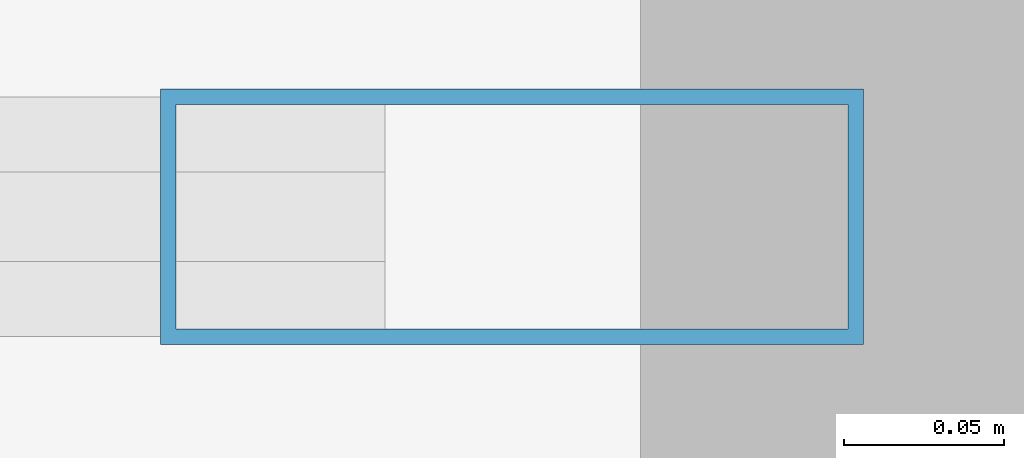
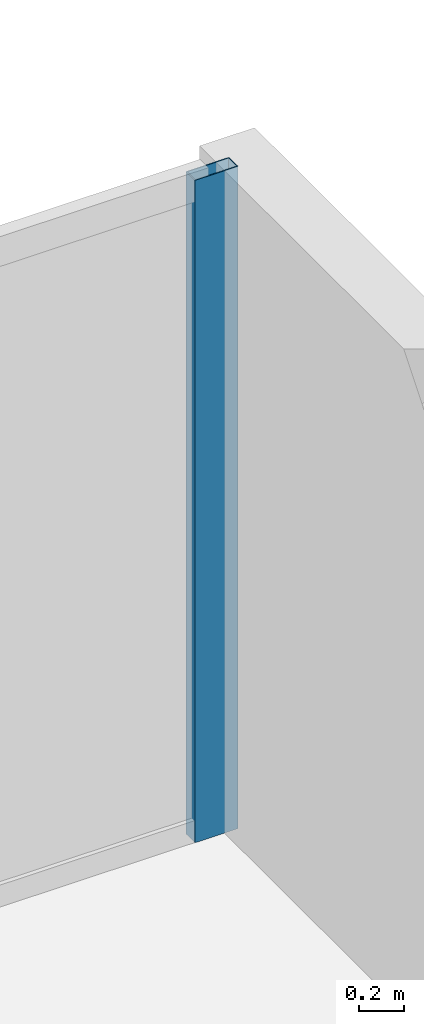
# One storey, part 14 of 26: 1 member, 1 element without a shape of its own.
"""IFC4 building model written with IfcOpenShell, lengths in metres."""

from ifc_helpers import new_model, si_unit, direction, frame, origin, origin_with_axes, origin_2d, place, context, subcontext, project, spatial, hollow_rectangle, extrude, source, transform, mapped, material, layer, layer_set, material_profile, profile_set, type_object, element, aggregate, save


model = new_model("IFC4")

# Units and contexts
model_context = context("Model", 3, precision=1e-05, world=origin(), true_north=direction((0.0, 1.0)))
body_context = subcontext(model_context, "Body", "Model", "MODEL_VIEW")
ifc_project = project(units=[si_unit("LENGTHUNIT", "METRE"), si_unit("AREAUNIT", "SQUARE_METRE"), si_unit("VOLUMEUNIT", "CUBIC_METRE"), si_unit("PLANEANGLEUNIT", "RADIAN"), si_unit("MASSUNIT", "GRAM", prefix="KILO")], contexts=[model_context])

# Site, building, storey
site_placement = place(None, origin())
site = spatial("IfcSite", under=ifc_project, at=site_placement, CompositionType="ELEMENT")
building_placement = place(site_placement, origin())
building = spatial("IfcBuilding", under=site, at=building_placement, Name="Kolvaren Waterfront Exchange", CompositionType="ELEMENT")
storey_placement = place(building_placement, frame((0.0, 0.0, 180.39990234375)))
storey = spatial("IfcBuildingStorey", under=building, at=storey_placement, Name="L46", CompositionType="ELEMENT", Elevation=180.39990234375)

# Curtain wall, member
ifc_material_1 = material(Name="Anodised bronze aluminium 6063-T6", Category="aluminium")
ifc_layer = layer(ifc_material_1, 0.219970703125, Name="Anodised bronze aluminium 6063-T6")
ifc_layer_set = layer_set([ifc_layer], Name="Anodised bronze aluminium 6063-T6")
curtain_wall_type = type_object("IfcCurtainWallType", Name="ARC-CW-SYS1", PredefinedType="USERDEFINED", material=ifc_layer_set)
curtain_wall_placement = place(storey_placement, origin())
curtain_wall = element("IfcCurtainWall", 1, at=curtain_wall_placement, inside=storey, type_object=curtain_wall_type, Name="L46 stick curtain wall CW1 (CW-L46-EN)", ObjectType="STICK CURTAIN WALL", PredefinedType="USERDEFINED")
ifc_material_2 = material(Name="Anodised aluminium 6063-T6", Category="aluminium")
ifc_material_profile = material_profile(ifc_material_2, hollow_rectangle(XDim=0.080078125, YDim=0.219970703125, WallThickness=0.0048828125, at=origin_2d()), Name="ALU-MUL-220x80x5")
ifc_profile_set = profile_set([ifc_material_profile], Name="Anodised aluminium 6063-T6")
member_type = type_object("IfcMemberType", Name="ARC-CWM-220", PredefinedType="MULLION", material=ifc_profile_set)
shared_shape = source(origin_with_axes(), body_context, "Body", "SweptSolid", [
    extrude(hollow_rectangle(XDim=0.080078125, YDim=0.219970703125, WallThickness=0.0048828125, at=origin_2d()), origin(), (0.0, 0.0, 1.0), 3.56005859375),
])
member_placement = place(storey_placement, frame((54.659912109375, 20.9599609375, 0.0), z_axis=(0.0, 0.0, 1.0), x_axis=(0.0, 1.0, 0.0)))
member = element("IfcMember", 2, at=member_placement, type_object=member_type, Name="CW1 mullion 5", PredefinedType="MULLION", context=body_context, shape_type="MappedRepresentation", body=[
    mapped(shared_shape, transform((0.0, 0.0, 0.0), x_axis=(1.0, 0.0, 0.0), y_axis=(0.0, 1.0, 0.0), z_axis=(0.0, 0.0, 1.0), scale=1.0)),
])
aggregate(curtain_wall, [member])

save(model, "model.ifc")
